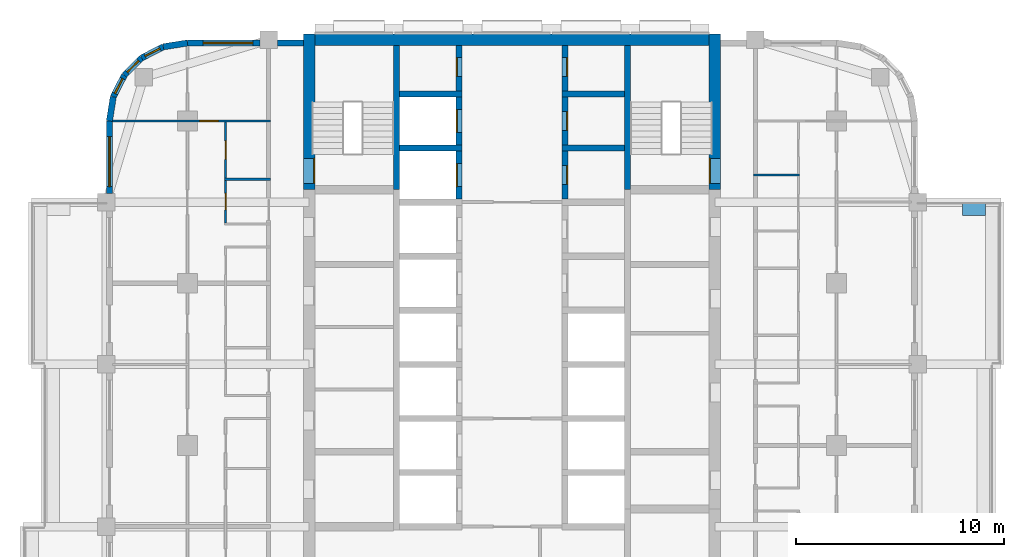
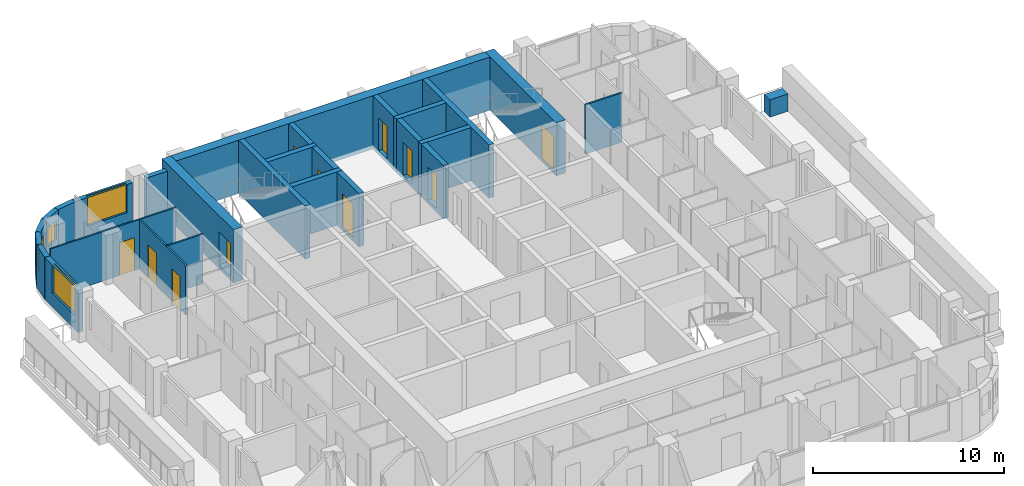
# One storey, part 8 of 13: 28 walls, 11 doors, 5 windows, 16 openings.
"""IFC4 building model written with IfcOpenShell, lengths in metres."""

import ifcopenshell
import ifcopenshell.guid

model = None  # the IFC model being written
_history = None  # IfcOwnerHistory: only IFC2X3 demands one
_inside = {}  # id of a spatial element -> (the spatial element, [elements in it])
_under = {}  # id of a project, library or spatial element -> (it, [spatial elements below it])
_declared = {}  # id of a project -> (the project, [libraries it declares])
_typed = {}  # id of a type object -> (the type object, [elements of that type])
_made_of = {}  # id of a material, layer set ... -> (it, [elements and type objects made of it])


def new_model(schema):
    """Start an empty IFC model of exactly this schema.

    Asked for "IFC4X3", IfcOpenShell would pick the latest addendum, in which some entities
    have other attributes; the version numbers below select the first issue.
    IFC2X3 requires an IfcOwnerHistory on every rooted entity: one is made here for all.
    """
    global model, _history
    if schema == "IFC4X3":
        model = ifcopenshell.file(schema_version=(4, 3, 0, 0))
    else:
        model = ifcopenshell.file(schema=schema)
    _inside.clear()
    _under.clear()
    _declared.clear()
    _typed.clear()
    _made_of.clear()
    _history = None
    if model.schema == "IFC2X3":
        org = make("IfcOrganization", Name="unknown")
        user = make(
            "IfcPersonAndOrganization",
            ThePerson=make("IfcPerson", FamilyName="unknown"),
            TheOrganization=org,
        )
        app = make(
            "IfcApplication",
            ApplicationDeveloper=org,
            Version="unknown",
            ApplicationFullName="unknown",
            ApplicationIdentifier="unknown",
        )
        _history = make(
            "IfcOwnerHistory",
            OwningUser=user,
            OwningApplication=app,
            ChangeAction="ADDED",
            CreationDate=0,
        )
    return model


def make(cls, **values):
    """One entity of the class cls with the attributes given. An attribute that is None is left unset."""
    return model.create_entity(
        cls, **{name: value for name, value in values.items() if value is not None}
    )


def rooted(cls, **values):
    """An entity with a GlobalId (a new one), such as an element, a storey or a relation."""
    return make(cls, GlobalId=ifcopenshell.guid.new(), OwnerHistory=_history, **values)


def si_unit(unit_type, name, prefix=None):
    """IfcSIUnit, for example si_unit("LENGTHUNIT", "METRE", prefix="MILLI")."""
    return make("IfcSIUnit", UnitType=unit_type, Prefix=prefix, Name=name)


def assignment(units):
    """IfcUnitAssignment: the units of a project."""
    return None if units is None else make("IfcUnitAssignment", Units=units)


def point(xyz):
    """IfcCartesianPoint."""
    return None if xyz is None else make("IfcCartesianPoint", Coordinates=xyz)


def direction(xyz):
    """IfcDirection."""
    return None if xyz is None else make("IfcDirection", DirectionRatios=xyz)


def frame(location, z_axis=None, x_axis=None):
    """IfcAxis2Placement3D, a coordinate frame: its origin and axes. An axis left out is left unset."""
    return make(
        "IfcAxis2Placement3D",
        Location=point(location),
        Axis=direction(z_axis),
        RefDirection=direction(x_axis),
    )


def frame_2d(location, x_axis=None):
    """IfcAxis2Placement2D, a coordinate frame in the plane: its origin and x axis."""
    return make(
        "IfcAxis2Placement2D", Location=point(location), RefDirection=direction(x_axis)
    )


def origin():
    """The frame at (0, 0, 0) with its axes left unset."""
    return frame((0.0, 0.0, 0.0))


def place(relative_to, where):
    """IfcLocalPlacement: puts the frame where relative to a parent placement (None: the world)."""
    return make(
        "IfcLocalPlacement", PlacementRelTo=relative_to, RelativePlacement=where
    )


def context(
    kind, dimensions, precision=None, world=None, true_north=None, identifier=None
):
    """IfcGeometricRepresentationContext, for example the 3D "Model" context."""
    return make(
        "IfcGeometricRepresentationContext",
        ContextIdentifier=identifier,
        ContextType=kind,
        CoordinateSpaceDimension=dimensions,
        Precision=precision,
        WorldCoordinateSystem=world,
        TrueNorth=true_north,
    )


def subcontext(parent, identifier, kind, view, scale=None):
    """IfcGeometricRepresentationSubContext, for example "Body" below "Model"."""
    return make(
        "IfcGeometricRepresentationSubContext",
        ContextIdentifier=identifier,
        ContextType=kind,
        ParentContext=parent,
        TargetScale=scale,
        TargetView=view,
    )


def project(units=None, contexts=None):
    """IfcProject with its units and contexts."""
    return rooted(
        "IfcProject",
        Name="project",
        RepresentationContexts=contexts,
        UnitsInContext=assignment(units),
    )


def spatial(cls, under=None, at=None, **own):
    """A site, building, storey or space (cls), placed at a placement, below another one or the project."""
    s = rooted(cls, ObjectPlacement=at, **own)
    if under is not None:
        _under.setdefault(under.id(), (under, []))[1].append(s)
    return s


def profile(cls, at=None, kind="AREA", **sizes):
    """A parametric profile (cls). Its sizes go by their IFC names, for example OverallWidth=200.0."""
    return make(cls, ProfileType=kind, Position=at, **sizes)


def rectangle(**sizes):
    """IfcRectangleProfileDef."""
    return profile("IfcRectangleProfileDef", **sizes)


def extrude(swept, where, along, depth):
    """IfcExtrudedAreaSolid: the profile swept, set in the frame where, extruded along a direction by depth."""
    return make(
        "IfcExtrudedAreaSolid",
        SweptArea=swept,
        Position=where,
        ExtrudedDirection=direction(along),
        Depth=depth,
    )


def shape(context_of_items, identifier, shape_type, items):
    """IfcShapeRepresentation: the items that make up one representation, for example the "Body"."""
    return make(
        "IfcShapeRepresentation",
        ContextOfItems=context_of_items,
        RepresentationIdentifier=identifier,
        RepresentationType=shape_type,
        Items=items,
    )


def material(Name=None, Category=None):
    """IfcMaterial."""
    return make("IfcMaterial", Name=Name, Category=Category)


def layer(
    of_material, thickness, ventilated=None, Name=None, Category=None, Priority=None
):
    """IfcMaterialLayer: one layer of a wall or slab, of a material (None: an air gap)."""
    return make(
        "IfcMaterialLayer",
        Material=of_material,
        LayerThickness=thickness,
        IsVentilated=ventilated,
        Name=Name,
        Category=Category,
        Priority=Priority,
    )


def layer_set(layers, Name=None):
    """IfcMaterialLayerSet."""
    return make("IfcMaterialLayerSet", MaterialLayers=layers, LayerSetName=Name)


def made_of(thing, what):
    """Note that an element or type object is made of a material, layer set ...; save() writes the relation."""
    if what is not None:
        _made_of.setdefault(what.id(), (what, []))[1].append(thing)
    return thing


def type_object(cls, material=None, **own):
    """A type object (cls), such as IfcWallType, which elements share."""
    return made_of(rooted(cls, **own), material)


def element(
    cls,
    number,
    at=None,
    inside=None,
    cuts=None,
    type_object=None,
    material=None,
    context=None,
    identifier="Body",
    shape_type=None,
    held_by="IfcProductDefinitionShape",
    body=None,
    shapes=None,
    **own,
):
    """One element of the class cls, such as IfcWall. Its Tag is "e" and its number.

    at: its placement. inside: the storey or other place that contains it. cuts: it is an
    opening in that element (IfcRelVoidsElement). A single representation is given by context,
    identifier, shape_type and body (its items); several are given by shapes. held_by: the class
    of the entity that holds the representations. save() writes the other relations.
    """
    e = rooted(cls, Tag="e%d" % number, ObjectPlacement=at, **own)
    if body is not None:
        shapes = [shape(context, identifier, shape_type, body)]
    if shapes is not None:
        e.Representation = make(held_by, Representations=shapes)
    if inside is not None:
        _inside.setdefault(inside.id(), (inside, []))[1].append(e)
    if cuts is not None:
        rooted(
            "IfcRelVoidsElement", RelatingBuildingElement=cuts, RelatedOpeningElement=e
        )
    if type_object is not None:
        _typed.setdefault(type_object.id(), (type_object, []))[1].append(e)
    return made_of(e, material)


def fill(opening, filler):
    """IfcRelFillsElement: the door or window that sits in an opening."""
    return rooted(
        "IfcRelFillsElement",
        RelatingOpeningElement=opening,
        RelatedBuildingElement=filler,
    )


def aggregate(whole, parts):
    """IfcRelAggregates: a whole, such as a stair, and the parts it consists of."""
    return rooted("IfcRelAggregates", RelatingObject=whole, RelatedObjects=parts)


def save(model, path):
    """Write the relations noted so far, then the file.

    IfcRelAggregates (storeys below a building ...), IfcRelContainedInSpatialStructure (elements
    in a storey), IfcRelDefinesByType, IfcRelAssociatesMaterial and IfcRelDeclares: one each for
    every whole, place, type object, material and project.
    """
    for whole, parts in _under.values():
        aggregate(whole, parts)
    for where, things in _inside.values():
        rooted(
            "IfcRelContainedInSpatialStructure",
            RelatedElements=things,
            RelatingStructure=where,
        )
    for kind, things in _typed.values():
        rooted("IfcRelDefinesByType", RelatedObjects=things, RelatingType=kind)
    for what, things in _made_of.values():
        rooted("IfcRelAssociatesMaterial", RelatedObjects=things, RelatingMaterial=what)
    for by, libraries in _declared.values():
        rooted("IfcRelDeclares", RelatingContext=by, RelatedDefinitions=libraries)
    model.write(path)


model = new_model("IFC4")

# Units and contexts
model_context = context("Model", 3, precision=1e-05, world=origin(), true_north=direction((0.0, 1.0)))
body_context = subcontext(model_context, "Body", "Model", "MODEL_VIEW")
ifc_project = project(units=[si_unit("LENGTHUNIT", "METRE"), si_unit("AREAUNIT", "SQUARE_METRE"), si_unit("VOLUMEUNIT", "CUBIC_METRE"), si_unit("PLANEANGLEUNIT", "RADIAN"), si_unit("MASSUNIT", "GRAM", prefix="KILO")], contexts=[model_context])

# Site, building, storey
site_placement = place(None, origin())
site = spatial("IfcSite", under=ifc_project, at=site_placement, CompositionType="ELEMENT")
building_placement = place(site_placement, origin())
building = spatial("IfcBuilding", under=site, at=building_placement, Name="Ludao Terraces", CompositionType="ELEMENT")
storey_placement = place(building_placement, frame((0.0, 0.0, 127.10009765625)))
storey = spatial("IfcBuildingStorey", under=building, at=storey_placement, Name="L34", CompositionType="ELEMENT", Elevation=127.10009765625)

# Wall, opening, door
ifc_material_1 = material(Name="Concrete C60", Category="concrete")
ifc_layer_1 = layer(ifc_material_1, 0.550048828125)
ifc_layer_set_1 = layer_set([ifc_layer_1], Name="Core wall 550 C60")
wall_type_1 = type_object("IfcWallType", Name="Core wall 550 C60", PredefinedType="SOLIDWALL", material=ifc_layer_set_1)
wall_1_placement = place(storey_placement, frame((75.25, 77.300048828125, -0.25), z_axis=(0.0, 0.0, 1.0), x_axis=(0.0, 1.0, 0.0)))
wall_1 = element("IfcWall", 1, at=wall_1_placement, inside=storey, type_object=wall_type_1, Name="Core wall L34 outer-W-S1", PredefinedType="SOLIDWALL", context=body_context, shape_type="SweptSolid", body=[
    extrude(rectangle(XDim=7.474853515625, YDim=0.550048828125, at=frame_2d((3.7373046875, 0.0))), origin(), (0.0, 0.0, 1.0), 3.39990234375),
])
opening_1_placement = place(wall_1_placement, frame((0.300048828125, 0.0, 0.25)))
opening_1 = element("IfcOpeningElement", 2, at=opening_1_placement, cuts=wall_1, Name="Opening R10-082", PredefinedType="OPENING", context=body_context, shape_type="SweptSolid", body=[
    extrude(rectangle(XDim=1.199951171875, YDim=2.10009765625, at=frame_2d((0.60009765625, 1.050048828125))), frame((0.0, 0.28515625, 0.0), z_axis=(0.0, -1.0, 0.0), x_axis=(1.0, 0.0, 0.0)), (0.0, 0.0, 1.0), 0.570068359375),
])
ifc_material_2 = material(Name="Steel Q235", Category="steel")
door_type_1 = type_object("IfcDoorType", Name="INT Stair door 1200", OperationType="DOUBLE_DOOR_SINGLE_SWING", PredefinedType="DOOR", material=ifc_material_2)
door_1_placement = place(opening_1_placement, origin())
door_1 = element("IfcDoor", 3, at=door_1_placement, inside=storey, type_object=door_type_1, Name="DOOR 082", OperationType="DOUBLE_DOOR_SINGLE_SWING", OverallHeight=2.10009765625, OverallWidth=1.199951171875, PredefinedType="DOOR", context=body_context, shape_type="SweptSolid", body=[
    extrude(rectangle(XDim=1.199951171875, YDim=2.10009765625, at=frame_2d((0.60009765625, 1.050048828125))), frame((0.0, -0.2099609375, 0.0), z_axis=(0.0, -1.0, 0.0), x_axis=(1.0, 0.0, 0.0)), (0.0, 0.0, 1.0), 0.050048828125),
])
fill(opening_1, door_1)

wall_2_placement = place(storey_placement, frame((94.75, 77.300048828125, -0.25), z_axis=(0.0, 0.0, 1.0), x_axis=(0.0, 1.0, 0.0)))
wall_2 = element("IfcWall", 4, at=wall_2_placement, inside=storey, type_object=wall_type_1, Name="Core wall L34 outer-E-S2", PredefinedType="SOLIDWALL", context=body_context, shape_type="SweptSolid", body=[
    extrude(rectangle(XDim=7.474853515625, YDim=0.550048828125, at=frame_2d((3.7373046875, 0.0))), origin(), (0.0, 0.0, 1.0), 3.39990234375),
])
opening_2_placement = place(wall_2_placement, frame((0.300048828125, 0.0, 0.25)))
opening_2 = element("IfcOpeningElement", 5, at=opening_2_placement, cuts=wall_2, Name="Opening R10-083", PredefinedType="OPENING", context=body_context, shape_type="SweptSolid", body=[
    extrude(rectangle(XDim=1.199951171875, YDim=2.10009765625, at=frame_2d((0.60009765625, 1.050048828125))), frame((0.0, 0.28515625, 0.0), z_axis=(0.0, -1.0, 0.0), x_axis=(1.0, 0.0, 0.0)), (0.0, 0.0, 1.0), 0.570068359375),
])
door_2_placement = place(opening_2_placement, origin())
door_2 = element("IfcDoor", 6, at=door_2_placement, inside=storey, type_object=door_type_1, Name="DOOR 083", OperationType="DOUBLE_DOOR_SINGLE_SWING", OverallHeight=2.10009765625, OverallWidth=1.199951171875, PredefinedType="DOOR", context=body_context, shape_type="SweptSolid", body=[
    extrude(rectangle(XDim=1.199951171875, YDim=2.10009765625, at=frame_2d((0.60009765625, 1.050048828125))), frame((0.0, 0.26025390625, 0.0), z_axis=(0.0, -1.0, 0.0), x_axis=(1.0, 0.0, 0.0)), (0.0, 0.0, 1.0), 0.050048828125),
])
fill(opening_2, door_2)

# Walls
wall_3_placement = place(storey_placement, frame((75.52490234375, 84.5, -0.25), z_axis=(0.0, 0.0, 1.0), x_axis=(1.0, 0.0, 0.0)))
element("IfcWall", 7, at=wall_3_placement, inside=storey, type_object=wall_type_1, Name="Core wall L34 outer-N", PredefinedType="SOLIDWALL", context=body_context, shape_type="SweptSolid", body=[
    extrude(rectangle(XDim=18.9501953125, YDim=0.550048828125, at=frame_2d((9.47509765625, 0.0))), origin(), (0.0, 0.0, 1.0), 3.39990234375),
])
ifc_material_3 = material(Name="Concrete C40", Category="concrete")
ifc_layer_2 = layer(ifc_material_3, 0.60009765625)
ifc_layer_set_2 = layer_set([ifc_layer_2], Name="ENV Planter trough 600")
wall_type_2 = type_object("IfcWallType", Name="ENV Planter trough 600", PredefinedType="USERDEFINED", material=ifc_layer_set_2)
wall_4_placement = place(storey_placement, frame((107.75, 76.35009765625, 0.0), z_axis=(0.0, 0.0, 1.0), x_axis=(-1.0, 0.0, 0.0)))
element("IfcWall", 8, at=wall_4_placement, inside=storey, type_object=wall_type_2, Name="PL-L34-E3-SB", ObjectType="PLANTER", PredefinedType="USERDEFINED", context=body_context, shape_type="SweptSolid", body=[
    extrude(rectangle(XDim=1.10009765625, YDim=0.60009765625, at=frame_2d((0.550048828125, 0.0))), origin(), (0.0, 0.0, 1.0), 1.099853515625),
])

# Wall, opening, window
ifc_material_4 = material(Name="Granite cladding", Category="masonry")
ifc_layer_3 = layer(ifc_material_4, 0.0400390625, Category="stone")
ifc_material_5 = material(Name="Mineral wool")
ifc_layer_4 = layer(ifc_material_5, 0.06005859375)
ifc_layer_5 = layer(ifc_material_3, 0.199951171875, Category="concrete")
ifc_layer_set_3 = layer_set([ifc_layer_3, ifc_layer_4, ifc_layer_5], Name="ENV Stone-clad wall 300")
wall_type_3 = type_object("IfcWallType", Name="ENV Stone-clad wall 300", PredefinedType="SOLIDWALL", material=ifc_layer_set_3)
wall_5_placement = place(storey_placement, frame((69.39990234375, 84.35009765625, 0.0), z_axis=(0.0, 0.0, 1.0), x_axis=(1.0, 0.0, 0.0)))
wall_5 = element("IfcWall", 9, at=wall_5_placement, inside=storey, type_object=wall_type_3, Name="EW-L34-N1", PredefinedType="SOLIDWALL", context=body_context, shape_type="SweptSolid", body=[
    extrude(rectangle(XDim=3.47509765625, YDim=0.300048828125, at=frame_2d((1.737548828125, 0.0))), origin(), (0.0, 0.0, 1.0), 2.699951171875),
])
opening_3_placement = place(wall_5_placement, frame((0.75, 0.0, 0.89990234375)))
opening_3 = element("IfcOpeningElement", 10, at=opening_3_placement, cuts=wall_5, Name="Opening W1", PredefinedType="OPENING", context=body_context, shape_type="SweptSolid", body=[
    extrude(rectangle(XDim=2.39990234375, YDim=1.800048828125, at=frame_2d((1.199951171875, 0.89990234375))), frame((0.0, 0.16015625, 0.0), z_axis=(0.0, -1.0, 0.0), x_axis=(1.0, 0.0, 0.0)), (0.0, 0.0, 1.0), 0.320068359375),
])
ifc_material_6 = material(Name="Clear glass in aluminium frame", Category="aluminium")
ifc_layer_6 = layer(ifc_material_6, 0.06005859375)
ifc_layer_set_4 = layer_set([ifc_layer_6], Name="ENV Window W1 2400x1800")
window_type_1 = type_object("IfcWindowType", Name="ENV Window W1 2400x1800", PartitioningType="DOUBLE_PANEL_VERTICAL", PredefinedType="WINDOW", material=ifc_layer_set_4)
window_1_placement = place(opening_3_placement, origin())
window_1 = element("IfcWindow", 11, at=window_1_placement, inside=storey, type_object=window_type_1, Name="W-L34-N1-1", OverallHeight=1.800048828125, OverallWidth=2.39990234375, PartitioningType="DOUBLE_PANEL_VERTICAL", PredefinedType="WINDOW", context=body_context, shape_type="SweptSolid", body=[
    extrude(rectangle(XDim=2.39990234375, YDim=1.800048828125, at=frame_2d((1.199951171875, 0.89990234375))), frame((0.0, 0.030029296875, 0.0), z_axis=(0.0, -1.0, 0.0), x_axis=(1.0, 0.0, 0.0)), (0.0, 0.0, 1.0), 0.06005859375),
])
fill(opening_3, window_1)

# Wall
wall_6_placement = place(storey_placement, frame((73.72509765625, 84.35009765625, 0.0), z_axis=(0.0, 0.0, 1.0), x_axis=(1.0, 0.0, 0.0)))
element("IfcWall", 12, at=wall_6_placement, inside=storey, type_object=wall_type_3, Name="EW-L34-N2", PredefinedType="SOLIDWALL", context=body_context, shape_type="SweptSolid", body=[
    extrude(rectangle(XDim=1.25, YDim=0.300048828125, at=frame_2d((0.625, 0.0))), origin(), (0.0, 0.0, 1.0), 2.699951171875),
])

# Wall, opening, window
wall_7_placement = place(storey_placement, frame((65.64990234375, 77.125, 0.0), z_axis=(0.0, 0.0, 1.0), x_axis=(0.0, 1.0, 0.0)))
wall_7 = element("IfcWall", 13, at=wall_7_placement, inside=storey, type_object=wall_type_3, Name="EW-L34-W5", PredefinedType="SOLIDWALL", context=body_context, shape_type="SweptSolid", body=[
    extrude(rectangle(XDim=3.47509765625, YDim=0.300048828125, at=frame_2d((1.737548828125, 0.0))), origin(), (0.0, 0.0, 1.0), 2.699951171875),
])
opening_4_placement = place(wall_7_placement, frame((0.324951171875, 0.0, 0.89990234375)))
opening_4 = element("IfcOpeningElement", 14, at=opening_4_placement, cuts=wall_7, Name="Opening W1", PredefinedType="OPENING", context=body_context, shape_type="SweptSolid", body=[
    extrude(rectangle(XDim=2.39990234375, YDim=1.800048828125, at=frame_2d((1.199951171875, 0.89990234375))), frame((0.0, 0.16015625, 0.0), z_axis=(0.0, -1.0, 0.0), x_axis=(1.0, 0.0, 0.0)), (0.0, 0.0, 1.0), 0.320068359375),
])
window_2_placement = place(opening_4_placement, origin())
window_2 = element("IfcWindow", 15, at=window_2_placement, inside=storey, type_object=window_type_1, Name="W-L34-W5-1", OverallHeight=1.800048828125, OverallWidth=2.39990234375, PartitioningType="DOUBLE_PANEL_VERTICAL", PredefinedType="WINDOW", context=body_context, shape_type="SweptSolid", body=[
    extrude(rectangle(XDim=2.39990234375, YDim=1.800048828125, at=frame_2d((1.199951171875, 0.89990234375))), frame((0.0, 0.030029296875, 0.0), z_axis=(0.0, -1.0, 0.0), x_axis=(1.0, 0.0, 0.0)), (0.0, 0.0, 1.0), 0.06005859375),
])
fill(opening_4, window_2)

# Wall
wall_8_placement = place(storey_placement, frame((69.39990234375, 84.35009765625, 0.0), z_axis=(0.0, 0.0, 1.0), x_axis=(-0.987678452879, -0.156496880861, 0.0)))
element("IfcWall", 16, at=wall_8_placement, inside=storey, type_object=wall_type_3, Name="EW-L34-NW1", PredefinedType="SOLIDWALL", context=body_context, shape_type="SweptSolid", body=[
    extrude(rectangle(XDim=1.173095703125, YDim=0.300048828125, at=frame_2d((0.58642578125, 0.0))), origin(), (0.0, 0.0, 1.0), 2.699951171875),
])

# Wall, opening, window
wall_9_placement = place(storey_placement, frame((68.2412109375, 84.16650390625, 0.0), z_axis=(0.0, 0.0, 1.0), x_axis=(-0.890988677504, -0.454025524128, 0.0)))
wall_9 = element("IfcWall", 17, at=wall_9_placement, inside=storey, type_object=wall_type_3, Name="EW-L34-NW2", PredefinedType="SOLIDWALL", context=body_context, shape_type="SweptSolid", body=[
    extrude(rectangle(XDim=1.17333984375, YDim=0.300048828125, at=frame_2d((0.586669921875, 0.0))), origin(), (0.0, 0.0, 1.0), 2.699951171875),
])
opening_5_placement = place(wall_9_placement, frame((0.1865234375, 0.0, 0.89990234375)))
opening_5 = element("IfcOpeningElement", 18, at=opening_5_placement, cuts=wall_9, Name="Opening W3", PredefinedType="OPENING", context=body_context, shape_type="SweptSolid", body=[
    extrude(rectangle(XDim=0.800048828125, YDim=1.199951171875, at=frame_2d((0.39990234375, 0.60009765625))), frame((0.0, 0.16015625, 0.0), z_axis=(0.0, -1.0, 0.0), x_axis=(1.0, 0.0, 0.0)), (0.0, 0.0, 1.0), 0.320068359375),
])
ifc_layer_7 = layer(ifc_material_6, 0.06005859375)
ifc_layer_set_5 = layer_set([ifc_layer_7], Name="ENV Window W3 800x1200")
window_type_2 = type_object("IfcWindowType", Name="ENV Window W3 800x1200", PartitioningType="SINGLE_PANEL", PredefinedType="WINDOW", material=ifc_layer_set_5)
window_3_placement = place(opening_5_placement, origin())
window_3 = element("IfcWindow", 19, at=window_3_placement, inside=storey, type_object=window_type_2, Name="W-L34-NW2", OverallHeight=1.199951171875, OverallWidth=0.800048828125, PartitioningType="SINGLE_PANEL", PredefinedType="WINDOW", context=body_context, shape_type="SweptSolid", body=[
    extrude(rectangle(XDim=0.800048828125, YDim=1.199951171875, at=frame_2d((0.39990234375, 0.60009765625))), frame((0.0, 0.030029296875, 0.0), z_axis=(0.0, -1.0, 0.0), x_axis=(1.0, 0.0, 0.0)), (0.0, 0.0, 1.0), 0.06005859375),
])
fill(opening_5, window_3)

wall_10_placement = place(storey_placement, frame((67.19580078125, 83.6337890625, 0.0), z_axis=(0.0, 0.0, 1.0), x_axis=(-0.707106781187, -0.707106781187, 0.0)))
wall_10 = element("IfcWall", 20, at=wall_10_placement, inside=storey, type_object=wall_type_3, Name="EW-L34-NW3", PredefinedType="SOLIDWALL", context=body_context, shape_type="SweptSolid", body=[
    extrude(rectangle(XDim=1.173095703125, YDim=0.300048828125, at=frame_2d((0.58642578125, 0.0))), origin(), (0.0, 0.0, 1.0), 2.699951171875),
])
opening_6_placement = place(wall_10_placement, frame((0.1865234375, 0.0, 0.89990234375)))
opening_6 = element("IfcOpeningElement", 21, at=opening_6_placement, cuts=wall_10, Name="Opening W3", PredefinedType="OPENING", context=body_context, shape_type="SweptSolid", body=[
    extrude(rectangle(XDim=0.800048828125, YDim=1.199951171875, at=frame_2d((0.39990234375, 0.60009765625))), frame((0.0, 0.16015625, 0.0), z_axis=(0.0, -1.0, 0.0), x_axis=(1.0, 0.0, 0.0)), (0.0, 0.0, 1.0), 0.320068359375),
])
window_4_placement = place(opening_6_placement, origin())
window_4 = element("IfcWindow", 22, at=window_4_placement, inside=storey, type_object=window_type_2, Name="W-L34-NW3", OverallHeight=1.199951171875, OverallWidth=0.800048828125, PartitioningType="SINGLE_PANEL", PredefinedType="WINDOW", context=body_context, shape_type="SweptSolid", body=[
    extrude(rectangle(XDim=0.800048828125, YDim=1.199951171875, at=frame_2d((0.39990234375, 0.60009765625))), frame((0.0, 0.030029296875, 0.0), z_axis=(0.0, -1.0, 0.0), x_axis=(1.0, 0.0, 0.0)), (0.0, 0.0, 1.0), 0.06005859375),
])
fill(opening_6, window_4)

wall_11_placement = place(storey_placement, frame((66.3662109375, 82.80419921875, 0.0), z_axis=(0.0, 0.0, 1.0), x_axis=(-0.454025524128, -0.890988677504, 0.0)))
wall_11 = element("IfcWall", 23, at=wall_11_placement, inside=storey, type_object=wall_type_3, Name="EW-L34-NW4", PredefinedType="SOLIDWALL", context=body_context, shape_type="SweptSolid", body=[
    extrude(rectangle(XDim=1.17333984375, YDim=0.300048828125, at=frame_2d((0.586669921875, 0.0))), origin(), (0.0, 0.0, 1.0), 2.699951171875),
])
opening_7_placement = place(wall_11_placement, frame((0.1865234375, 0.0, 0.89990234375)))
opening_7 = element("IfcOpeningElement", 24, at=opening_7_placement, cuts=wall_11, Name="Opening W3", PredefinedType="OPENING", context=body_context, shape_type="SweptSolid", body=[
    extrude(rectangle(XDim=0.800048828125, YDim=1.199951171875, at=frame_2d((0.39990234375, 0.60009765625))), frame((0.0, 0.16015625, 0.0), z_axis=(0.0, -1.0, 0.0), x_axis=(1.0, 0.0, 0.0)), (0.0, 0.0, 1.0), 0.320068359375),
])
window_5_placement = place(opening_7_placement, origin())
window_5 = element("IfcWindow", 25, at=window_5_placement, inside=storey, type_object=window_type_2, Name="W-L34-NW4", OverallHeight=1.199951171875, OverallWidth=0.800048828125, PartitioningType="SINGLE_PANEL", PredefinedType="WINDOW", context=body_context, shape_type="SweptSolid", body=[
    extrude(rectangle(XDim=0.800048828125, YDim=1.199951171875, at=frame_2d((0.39990234375, 0.60009765625))), frame((0.0, 0.030029296875, 0.0), z_axis=(0.0, -1.0, 0.0), x_axis=(1.0, 0.0, 0.0)), (0.0, 0.0, 1.0), 0.06005859375),
])
fill(opening_7, window_5)

# Walls
wall_12_placement = place(storey_placement, frame((65.83349609375, 81.7587890625, 0.0), z_axis=(0.0, 0.0, 1.0), x_axis=(-0.156496880861, -0.987678452879, 0.0)))
element("IfcWall", 26, at=wall_12_placement, inside=storey, type_object=wall_type_3, Name="EW-L34-NW5", PredefinedType="SOLIDWALL", context=body_context, shape_type="SweptSolid", body=[
    extrude(rectangle(XDim=1.173095703125, YDim=0.300048828125, at=frame_2d((0.58642578125, 0.0))), origin(), (0.0, 0.0, 1.0), 2.699951171875),
])
ifc_material_7 = material(Name="Gypsum plasterboard", Category="gypsum")
ifc_layer_8 = layer(ifc_material_7, 0.012451171875, Category="gypsum")
ifc_layer_9 = layer(ifc_material_5, 0.06005859375, Name="insulation")
ifc_layer_10 = layer(ifc_material_2, 0.014892578125, Name="stud")
ifc_layer_11 = layer(ifc_material_7, 0.012451171875, Category="gypsum")
ifc_layer_set_6 = layer_set([ifc_layer_8, ifc_layer_9, ifc_layer_10, ifc_layer_11], Name="INT Partition 100")
wall_type_4 = type_object("IfcWallType", Name="INT Partition 100", PredefinedType="PARTITIONING", material=ifc_layer_set_6)
for number, where, z_axis, x_axis, name in (
    (27, (71.18017578125, 77.800048828125, 0.0), (0.0, 0.0, 1.0), (1.0, 0.0, 0.0), "PW-L34-PW042"),
    (28, (96.60009765625, 78.0, 0.0), (0.0, 0.0, 1.0), (1.0, 0.0, 0.0), "PW-L34-PW043"),
):
    element("IfcWall", number, at=place(storey_placement, frame(where, z_axis=z_axis, x_axis=x_axis)), inside=storey, type_object=wall_type_4, Name=name, PredefinedType="PARTITIONING", context=body_context, shape_type="SweptSolid", body=[
        extrude(rectangle(XDim=2.219970703125, YDim=0.10009765625, at=frame_2d((1.10986328125, 0.0))), origin(), (0.0, 0.0, 1.0), 3.14990234375),
    ])

# Wall, opening, door
wall_13_placement = place(storey_placement, frame((65.800048828125, 80.60009765625, 0.0), z_axis=(0.0, 0.0, 1.0), x_axis=(1.0, 0.0, 0.0)))
wall_13 = element("IfcWall", 29, at=wall_13_placement, inside=storey, type_object=wall_type_4, Name="PW-L34-PW044", PredefinedType="PARTITIONING", context=body_context, shape_type="SweptSolid", body=[
    extrude(rectangle(XDim=7.60009765625, YDim=0.10009765625, at=frame_2d((3.800048828125, 0.0))), origin(), (0.0, 0.0, 1.0), 3.14990234375),
])
opening_8_placement = place(wall_13_placement, frame((4.18994140625, 0.0, 0.0)))
opening_8 = element("IfcOpeningElement", 30, at=opening_8_placement, cuts=wall_13, Name="Opening R10-087", PredefinedType="OPENING", context=body_context, shape_type="SweptSolid", body=[
    extrude(rectangle(XDim=0.89990234375, YDim=2.10009765625, at=frame_2d((0.449951171875, 1.050048828125))), frame((0.0, 0.06005859375, 0.0), z_axis=(0.0, -1.0, 0.0), x_axis=(1.0, 0.0, 0.0)), (0.0, 0.0, 1.0), 0.1201171875),
])
ifc_material_8 = material(Name="Timber door leaf", Category="wood")
door_type_2 = type_object("IfcDoorType", Name="INT Room door 900", OperationType="SINGLE_SWING_LEFT", PredefinedType="DOOR", material=ifc_material_8)
door_3_placement = place(opening_8_placement, origin())
door_3 = element("IfcDoor", 31, at=door_3_placement, inside=storey, type_object=door_type_2, Name="DOOR 087", OperationType="SINGLE_SWING_LEFT", OverallHeight=2.10009765625, OverallWidth=0.89990234375, PredefinedType="DOOR", context=body_context, shape_type="SweptSolid", body=[
    extrude(rectangle(XDim=0.89990234375, YDim=2.10009765625, at=frame_2d((0.449951171875, 1.050048828125))), frame((0.0, 0.02490234375, 0.0), z_axis=(0.0, -1.0, 0.0), x_axis=(1.0, 0.0, 0.0)), (0.0, 0.0, 1.0), 0.050048828125),
])
fill(opening_8, door_3)

# Wall, openings, doors
wall_14_placement = place(storey_placement, frame((71.22998046875, 75.7001953125, 0.0), z_axis=(0.0, 0.0, 1.0), x_axis=(0.0, 1.0, 0.0)))
wall_14 = element("IfcWall", 32, at=wall_14_placement, inside=storey, type_object=wall_type_4, Name="PW-L34-PW050", PredefinedType="PARTITIONING", context=body_context, shape_type="SweptSolid", body=[
    extrude(rectangle(XDim=4.849853515625, YDim=0.10009765625, at=frame_2d((2.4248046875, 0.0))), origin(), (0.0, 0.0, 1.0), 3.14990234375),
])
opening_9_placement = place(wall_14_placement, frame((0.625, 0.0, 0.0)))
opening_9 = element("IfcOpeningElement", 33, at=opening_9_placement, cuts=wall_14, Name="Opening R10-079", PredefinedType="OPENING", context=body_context, shape_type="SweptSolid", body=[
    extrude(rectangle(XDim=0.800048828125, YDim=2.10009765625, at=frame_2d((0.39990234375, 1.050048828125))), frame((0.0, 0.06005859375, 0.0), z_axis=(0.0, -1.0, 0.0), x_axis=(1.0, 0.0, 0.0)), (0.0, 0.0, 1.0), 0.1201171875),
])
opening_10_placement = place(wall_14_placement, frame((3.0498046875, 0.0, 0.0)))
opening_10 = element("IfcOpeningElement", 34, at=opening_10_placement, cuts=wall_14, Name="Opening R10-085", PredefinedType="OPENING", context=body_context, shape_type="SweptSolid", body=[
    extrude(rectangle(XDim=0.89990234375, YDim=2.10009765625, at=frame_2d((0.449951171875, 1.050048828125))), frame((0.0, 0.06005859375, 0.0), z_axis=(0.0, -1.0, 0.0), x_axis=(1.0, 0.0, 0.0)), (0.0, 0.0, 1.0), 0.1201171875),
])
door_4_placement = place(opening_10_placement, origin())
door_4 = element("IfcDoor", 35, at=door_4_placement, inside=storey, type_object=door_type_2, Name="DOOR 085", OperationType="SINGLE_SWING_RIGHT", OverallHeight=2.10009765625, OverallWidth=0.89990234375, PredefinedType="DOOR", context=body_context, shape_type="SweptSolid", body=[
    extrude(rectangle(XDim=0.89990234375, YDim=2.10009765625, at=frame_2d((0.449951171875, 1.050048828125))), frame((0.0, 0.02490234375, 0.0), z_axis=(0.0, -1.0, 0.0), x_axis=(1.0, 0.0, 0.0)), (0.0, 0.0, 1.0), 0.050048828125),
])
fill(opening_10, door_4)
door_type_3 = type_object("IfcDoorType", Name="INT Store door 800", OperationType="SINGLE_SWING_LEFT", PredefinedType="DOOR", material=ifc_material_8)
door_5_placement = place(opening_9_placement, origin())
door_5 = element("IfcDoor", 36, at=door_5_placement, inside=storey, type_object=door_type_3, Name="DOOR 079", OperationType="SINGLE_SWING_LEFT", OverallHeight=2.10009765625, OverallWidth=0.800048828125, PredefinedType="DOOR", context=body_context, shape_type="SweptSolid", body=[
    extrude(rectangle(XDim=0.800048828125, YDim=2.10009765625, at=frame_2d((0.39990234375, 1.050048828125))), frame((0.0, 0.02490234375, 0.0), z_axis=(0.0, -1.0, 0.0), x_axis=(1.0, 0.0, 0.0)), (0.0, 0.0, 1.0), 0.050048828125),
])
fill(opening_9, door_5)

# Walls
ifc_material_9 = material(Name="Concrete C55", Category="concrete")
ifc_layer_12 = layer(ifc_material_9, 0.300048828125)
ifc_layer_set_7 = layer_set([ifc_layer_12], Name="Shaft wall 300 C55")
wall_type_5 = type_object("IfcWallType", Name="Shaft wall 300 C55", PredefinedType="SOLIDWALL", material=ifc_layer_set_7)
for number, where, z_axis, x_axis, name in (
    (37, (79.449951171875, 77.300048828125, -0.25), (0.0, 0.0, 1.0), (0.0, 1.0, 0.0), "Core wall L34 back-W-S1"),
    (38, (90.550048828125, 77.300048828125, -0.25), (0.0, 0.0, 1.0), (0.0, 1.0, 0.0), "Core wall L34 back-E-S2"),
):
    element("IfcWall", number, at=place(storey_placement, frame(where, z_axis=z_axis, x_axis=x_axis)), inside=storey, type_object=wall_type_5, Name=name, PredefinedType="SOLIDWALL", context=body_context, shape_type="SweptSolid", body=[
        extrude(rectangle(XDim=6.925048828125, YDim=0.300048828125, at=frame_2d((3.46240234375, 0.0))), origin(), (0.0, 0.0, 1.0), 3.39990234375),
    ])

# Wall, opening, door
wall_15_placement = place(storey_placement, frame((82.449951171875, 76.85009765625, -0.25), z_axis=(0.0, 0.0, 1.0), x_axis=(0.0, 1.0, 0.0)))
wall_15 = element("IfcWall", 39, at=wall_15_placement, inside=storey, type_object=wall_type_5, Name="Core wall L34 front-W7", PredefinedType="SOLIDWALL", context=body_context, shape_type="SweptSolid", body=[
    extrude(rectangle(XDim=2.2998046875, YDim=0.300048828125, at=frame_2d((1.14990234375, 0.0))), origin(), (0.0, 0.0, 1.0), 3.39990234375),
])
opening_11_placement = place(wall_15_placement, frame((0.60009765625, 0.0, 0.25)))
opening_11 = element("IfcOpeningElement", 40, at=opening_11_placement, cuts=wall_15, Name="Opening LD-FF1", PredefinedType="OPENING", context=body_context, shape_type="SweptSolid", body=[
    extrude(rectangle(XDim=1.10009765625, YDim=2.10009765625, at=frame_2d((0.550048828125, 1.050048828125))), frame((0.0, 0.16015625, 0.0), z_axis=(0.0, -1.0, 0.0), x_axis=(1.0, 0.0, 0.0)), (0.0, 0.0, 1.0), 0.320068359375),
])
ifc_material_10 = material(Name="Stainless steel 304", Category="steel")
door_type_4 = type_object("IfcDoorType", Name="INT Lift landing door 1100", OperationType="SLIDING_TO_LEFT", PredefinedType="DOOR", material=ifc_material_10)
door_6_placement = place(opening_11_placement, origin())
door_6 = element("IfcDoor", 41, at=door_6_placement, inside=storey, type_object=door_type_4, Name="LANDING DOOR FF1 L34", OperationType="SLIDING_TO_LEFT", OverallHeight=2.10009765625, OverallWidth=1.10009765625, PredefinedType="DOOR", context=body_context, shape_type="SweptSolid", body=[
    extrude(rectangle(XDim=1.10009765625, YDim=2.10009765625, at=frame_2d((0.550048828125, 1.050048828125))), frame((0.0, 0.13525390625, 0.0), z_axis=(0.0, -1.0, 0.0), x_axis=(1.0, 0.0, 0.0)), (0.0, 0.0, 1.0), 0.050048828125),
])
fill(opening_11, door_6)

# Wall
wall_16_placement = place(storey_placement, frame((79.60009765625, 79.300048828125, -0.25), z_axis=(0.0, 0.0, 1.0), x_axis=(1.0, 0.0, 0.0)))
element("IfcWall", 42, at=wall_16_placement, inside=storey, type_object=wall_type_5, Name="Core wall L34 div-W8", PredefinedType="SOLIDWALL", context=body_context, shape_type="SweptSolid", body=[
    extrude(rectangle(XDim=3.0, YDim=0.300048828125, at=frame_2d((1.5, 0.0))), origin(), (0.0, 0.0, 1.0), 3.39990234375),
])

# Wall, opening, door
wall_17_placement = place(storey_placement, frame((82.449951171875, 79.449951171875, -0.25), z_axis=(0.0, 0.0, 1.0), x_axis=(0.0, 1.0, 0.0)))
wall_17 = element("IfcWall", 43, at=wall_17_placement, inside=storey, type_object=wall_type_5, Name="Core wall L34 front-W8", PredefinedType="SOLIDWALL", context=body_context, shape_type="SweptSolid", body=[
    extrude(rectangle(XDim=2.300048828125, YDim=0.300048828125, at=frame_2d((1.14990234375, 0.0))), origin(), (0.0, 0.0, 1.0), 3.39990234375),
])
opening_12_placement = place(wall_17_placement, frame((0.60009765625, 0.0, 0.25)))
opening_12 = element("IfcOpeningElement", 44, at=opening_12_placement, cuts=wall_17, Name="Opening LD-FF2", PredefinedType="OPENING", context=body_context, shape_type="SweptSolid", body=[
    extrude(rectangle(XDim=1.10009765625, YDim=2.10009765625, at=frame_2d((0.550048828125, 1.050048828125))), frame((0.0, 0.16015625, 0.0), z_axis=(0.0, -1.0, 0.0), x_axis=(1.0, 0.0, 0.0)), (0.0, 0.0, 1.0), 0.320068359375),
])
door_7_placement = place(opening_12_placement, origin())
door_7 = element("IfcDoor", 45, at=door_7_placement, inside=storey, type_object=door_type_4, Name="LANDING DOOR FF2 L34", OperationType="SLIDING_TO_LEFT", OverallHeight=2.10009765625, OverallWidth=1.10009765625, PredefinedType="DOOR", context=body_context, shape_type="SweptSolid", body=[
    extrude(rectangle(XDim=1.10009765625, YDim=2.10009765625, at=frame_2d((0.550048828125, 1.050048828125))), frame((0.0, 0.13525390625, 0.0), z_axis=(0.0, -1.0, 0.0), x_axis=(1.0, 0.0, 0.0)), (0.0, 0.0, 1.0), 0.050048828125),
])
fill(opening_12, door_7)

# Wall
wall_18_placement = place(storey_placement, frame((79.60009765625, 81.89990234375, -0.25), z_axis=(0.0, 0.0, 1.0), x_axis=(1.0, 0.0, 0.0)))
element("IfcWall", 46, at=wall_18_placement, inside=storey, type_object=wall_type_5, Name="Core wall L34 div-W9", PredefinedType="SOLIDWALL", context=body_context, shape_type="SweptSolid", body=[
    extrude(rectangle(XDim=3.0, YDim=0.300048828125, at=frame_2d((1.5, 0.0))), origin(), (0.0, 0.0, 1.0), 3.39990234375),
])

# Wall, opening, door
wall_19_placement = place(storey_placement, frame((82.449951171875, 82.050048828125, -0.25), z_axis=(0.0, 0.0, 1.0), x_axis=(0.0, 1.0, 0.0)))
wall_19 = element("IfcWall", 47, at=wall_19_placement, inside=storey, type_object=wall_type_5, Name="Core wall L34 front-W9", PredefinedType="SOLIDWALL", context=body_context, shape_type="SweptSolid", body=[
    extrude(rectangle(XDim=2.175048828125, YDim=0.300048828125, at=frame_2d((1.08740234375, 0.0))), origin(), (0.0, 0.0, 1.0), 3.39990234375),
])
opening_13_placement = place(wall_19_placement, frame((0.699951171875, 0.0, 0.25)))
opening_13 = element("IfcOpeningElement", 48, at=opening_13_placement, cuts=wall_19, Name="Opening R10-093", PredefinedType="OPENING", context=body_context, shape_type="SweptSolid", body=[
    extrude(rectangle(XDim=0.89990234375, YDim=2.10009765625, at=frame_2d((0.449951171875, 1.050048828125))), frame((0.0, 0.16015625, 0.0), z_axis=(0.0, -1.0, 0.0), x_axis=(1.0, 0.0, 0.0)), (0.0, 0.0, 1.0), 0.320068359375),
])
door_8_placement = place(opening_13_placement, origin())
door_8 = element("IfcDoor", 49, at=door_8_placement, inside=storey, type_object=door_type_2, Name="DOOR 093", OperationType="SINGLE_SWING_RIGHT", OverallHeight=2.10009765625, OverallWidth=0.89990234375, PredefinedType="DOOR", context=body_context, shape_type="SweptSolid", body=[
    extrude(rectangle(XDim=0.89990234375, YDim=2.10009765625, at=frame_2d((0.449951171875, 1.050048828125))), frame((0.0, 0.13525390625, 0.0), z_axis=(0.0, -1.0, 0.0), x_axis=(1.0, 0.0, 0.0)), (0.0, 0.0, 1.0), 0.050048828125),
])
fill(opening_13, door_8)

wall_20_placement = place(storey_placement, frame((87.550048828125, 76.85009765625, -0.25), z_axis=(0.0, 0.0, 1.0), x_axis=(0.0, 1.0, 0.0)))
wall_20 = element("IfcWall", 50, at=wall_20_placement, inside=storey, type_object=wall_type_5, Name="Core wall L34 front-E7", PredefinedType="SOLIDWALL", context=body_context, shape_type="SweptSolid", body=[
    extrude(rectangle(XDim=2.2998046875, YDim=0.300048828125, at=frame_2d((1.14990234375, 0.0))), origin(), (0.0, 0.0, 1.0), 3.39990234375),
])
opening_14_placement = place(wall_20_placement, frame((0.699951171875, 0.0, 0.25)))
opening_14 = element("IfcOpeningElement", 51, at=opening_14_placement, cuts=wall_20, Name="Opening R10-081", PredefinedType="OPENING", context=body_context, shape_type="SweptSolid", body=[
    extrude(rectangle(XDim=0.89990234375, YDim=2.10009765625, at=frame_2d((0.449951171875, 1.050048828125))), frame((0.0, 0.16015625, 0.0), z_axis=(0.0, -1.0, 0.0), x_axis=(1.0, 0.0, 0.0)), (0.0, 0.0, 1.0), 0.320068359375),
])
door_9_placement = place(opening_14_placement, origin())
door_9 = element("IfcDoor", 52, at=door_9_placement, inside=storey, type_object=door_type_2, Name="DOOR 081", OperationType="SINGLE_SWING_RIGHT", OverallHeight=2.10009765625, OverallWidth=0.89990234375, PredefinedType="DOOR", context=body_context, shape_type="SweptSolid", body=[
    extrude(rectangle(XDim=0.89990234375, YDim=2.10009765625, at=frame_2d((0.449951171875, 1.050048828125))), frame((0.0, -0.0849609375, 0.0), z_axis=(0.0, -1.0, 0.0), x_axis=(1.0, 0.0, 0.0)), (0.0, 0.0, 1.0), 0.050048828125),
])
fill(opening_14, door_9)

# Wall
wall_21_placement = place(storey_placement, frame((87.39990234375, 79.300048828125, -0.25), z_axis=(0.0, 0.0, 1.0), x_axis=(1.0, 0.0, 0.0)))
element("IfcWall", 53, at=wall_21_placement, inside=storey, type_object=wall_type_5, Name="Core wall L34 div-E8", PredefinedType="SOLIDWALL", context=body_context, shape_type="SweptSolid", body=[
    extrude(rectangle(XDim=3.0, YDim=0.300048828125, at=frame_2d((1.5, 0.0))), origin(), (0.0, 0.0, 1.0), 3.39990234375),
])

# Wall, opening, door
wall_22_placement = place(storey_placement, frame((87.550048828125, 79.449951171875, -0.25), z_axis=(0.0, 0.0, 1.0), x_axis=(0.0, 1.0, 0.0)))
wall_22 = element("IfcWall", 54, at=wall_22_placement, inside=storey, type_object=wall_type_5, Name="Core wall L34 front-E8", PredefinedType="SOLIDWALL", context=body_context, shape_type="SweptSolid", body=[
    extrude(rectangle(XDim=2.300048828125, YDim=0.300048828125, at=frame_2d((1.14990234375, 0.0))), origin(), (0.0, 0.0, 1.0), 3.39990234375),
])
opening_15_placement = place(wall_22_placement, frame((0.699951171875, 0.0, 0.25)))
opening_15 = element("IfcOpeningElement", 55, at=opening_15_placement, cuts=wall_22, Name="Opening R10-089", PredefinedType="OPENING", context=body_context, shape_type="SweptSolid", body=[
    extrude(rectangle(XDim=0.89990234375, YDim=2.10009765625, at=frame_2d((0.449951171875, 1.050048828125))), frame((0.0, 0.16015625, 0.0), z_axis=(0.0, -1.0, 0.0), x_axis=(1.0, 0.0, 0.0)), (0.0, 0.0, 1.0), 0.320068359375),
])
door_10_placement = place(opening_15_placement, origin())
door_10 = element("IfcDoor", 56, at=door_10_placement, inside=storey, type_object=door_type_2, Name="DOOR 089", OperationType="SINGLE_SWING_LEFT", OverallHeight=2.10009765625, OverallWidth=0.89990234375, PredefinedType="DOOR", context=body_context, shape_type="SweptSolid", body=[
    extrude(rectangle(XDim=0.89990234375, YDim=2.10009765625, at=frame_2d((0.449951171875, 1.050048828125))), frame((0.0, -0.0849609375, 0.0), z_axis=(0.0, -1.0, 0.0), x_axis=(1.0, 0.0, 0.0)), (0.0, 0.0, 1.0), 0.050048828125),
])
fill(opening_15, door_10)

# Wall
wall_23_placement = place(storey_placement, frame((87.39990234375, 81.89990234375, -0.25), z_axis=(0.0, 0.0, 1.0), x_axis=(1.0, 0.0, 0.0)))
element("IfcWall", 57, at=wall_23_placement, inside=storey, type_object=wall_type_5, Name="Core wall L34 div-E9", PredefinedType="SOLIDWALL", context=body_context, shape_type="SweptSolid", body=[
    extrude(rectangle(XDim=3.0, YDim=0.300048828125, at=frame_2d((1.5, 0.0))), origin(), (0.0, 0.0, 1.0), 3.39990234375),
])

# Wall, opening, door
wall_24_placement = place(storey_placement, frame((87.550048828125, 82.050048828125, -0.25), z_axis=(0.0, 0.0, 1.0), x_axis=(0.0, 1.0, 0.0)))
wall_24 = element("IfcWall", 58, at=wall_24_placement, inside=storey, type_object=wall_type_5, Name="Core wall L34 front-E9", PredefinedType="SOLIDWALL", context=body_context, shape_type="SweptSolid", body=[
    extrude(rectangle(XDim=2.175048828125, YDim=0.300048828125, at=frame_2d((1.08740234375, 0.0))), origin(), (0.0, 0.0, 1.0), 3.39990234375),
])
opening_16_placement = place(wall_24_placement, frame((0.699951171875, 0.0, 0.25)))
opening_16 = element("IfcOpeningElement", 59, at=opening_16_placement, cuts=wall_24, Name="Opening R10-094", PredefinedType="OPENING", context=body_context, shape_type="SweptSolid", body=[
    extrude(rectangle(XDim=0.89990234375, YDim=2.10009765625, at=frame_2d((0.449951171875, 1.050048828125))), frame((0.0, 0.16015625, 0.0), z_axis=(0.0, -1.0, 0.0), x_axis=(1.0, 0.0, 0.0)), (0.0, 0.0, 1.0), 0.320068359375),
])
door_11_placement = place(opening_16_placement, origin())
door_11 = element("IfcDoor", 60, at=door_11_placement, inside=storey, type_object=door_type_2, Name="DOOR 094", OperationType="SINGLE_SWING_LEFT", OverallHeight=2.10009765625, OverallWidth=0.89990234375, PredefinedType="DOOR", context=body_context, shape_type="SweptSolid", body=[
    extrude(rectangle(XDim=0.89990234375, YDim=2.10009765625, at=frame_2d((0.449951171875, 1.050048828125))), frame((0.0, -0.0849609375, 0.0), z_axis=(0.0, -1.0, 0.0), x_axis=(1.0, 0.0, 0.0)), (0.0, 0.0, 1.0), 0.050048828125),
])
fill(opening_16, door_11)

save(model, "model.ifc")
